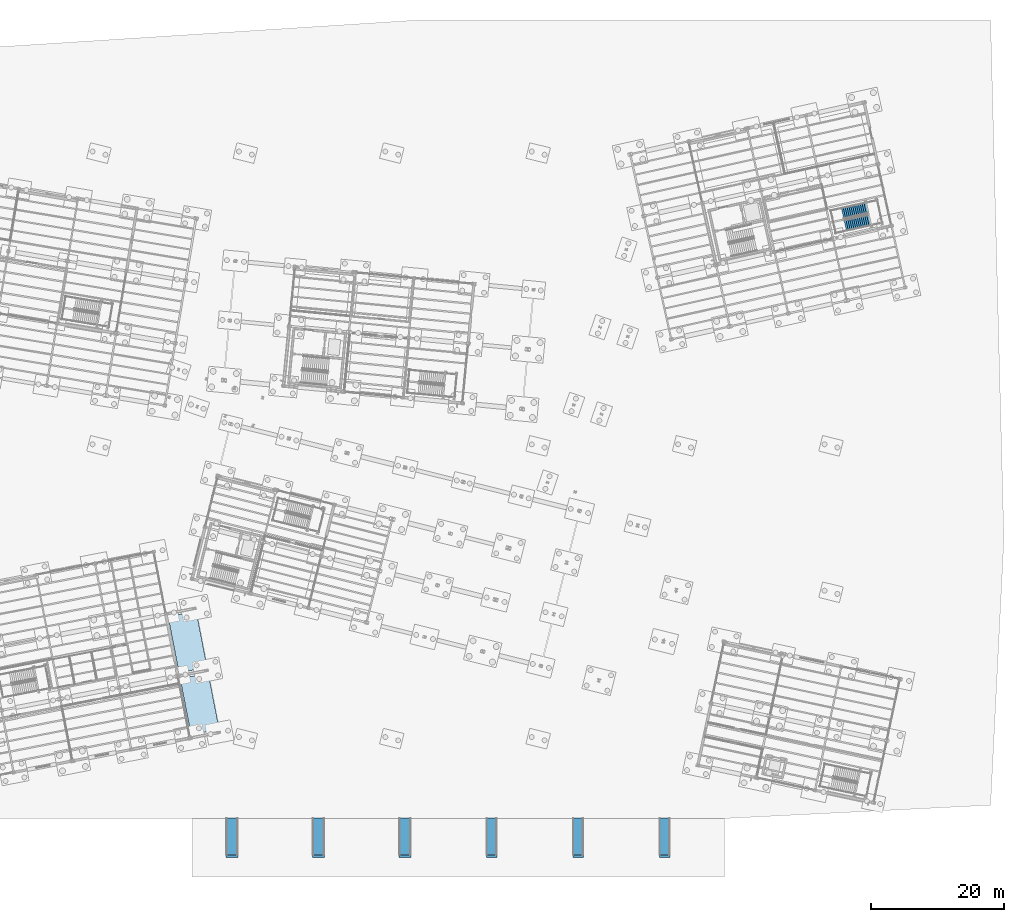
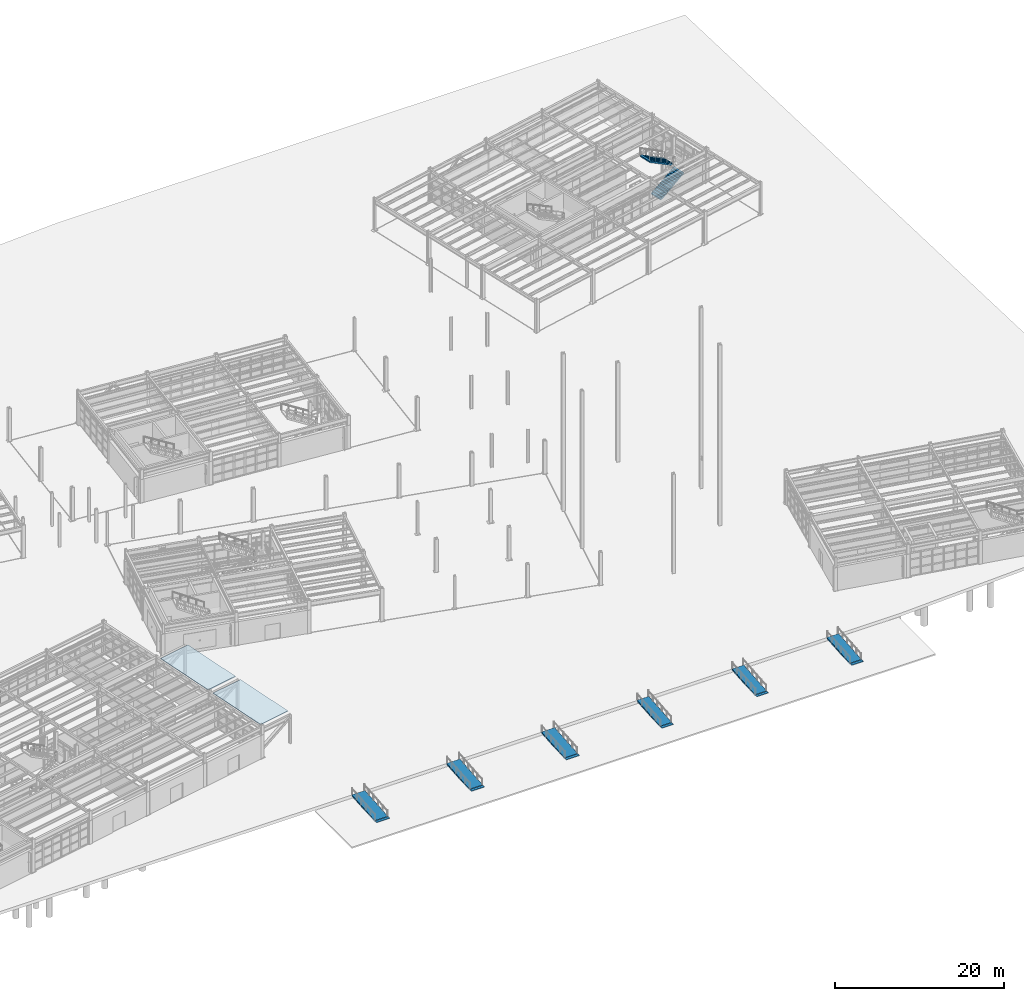
# One storey, part 91 of 108: 6 ramps, 6 ramp flights, 2 roofs, 2 stair flights, 1 element without a shape of its own.
"""IFC4 building model written with IfcOpenShell, lengths in metres."""

from ifc_helpers import new_model, si_unit, direction, frame, origin, origin_2d, place, context, subcontext, project, spatial, polyline, rectangle, outline, extrude, material, layer, layer_set, type_object, element, aggregate, save


model = new_model("IFC4")

# Units and contexts
model_context = context("Model", 3, precision=1e-05, world=origin(), true_north=direction((0.0, 1.0)))
body_context = subcontext(model_context, "Body", "Model", "MODEL_VIEW")
ifc_project = project(units=[si_unit("LENGTHUNIT", "METRE"), si_unit("AREAUNIT", "SQUARE_METRE"), si_unit("VOLUMEUNIT", "CUBIC_METRE"), si_unit("PLANEANGLEUNIT", "RADIAN"), si_unit("MASSUNIT", "GRAM", prefix="KILO")], contexts=[model_context])

# Site, building, storey
site_placement = place(None, origin())
site = spatial("IfcSite", under=ifc_project, at=site_placement, CompositionType="ELEMENT")
building_placement = place(site_placement, origin())
building = spatial("IfcBuilding", under=site, at=building_placement, Name="Vireo Bluff Cable Station", CompositionType="ELEMENT")
storey_placement = place(building_placement, origin())
storey = spatial("IfcBuildingStorey", under=building, at=storey_placement, Name="L00", CompositionType="ELEMENT", Elevation=0.0)

# Stair, stair flights
ifc_material = material(Name="Concrete f'c 40 MPa", Category="concrete")
stair_type = type_object("IfcStairType", Name="STAIR-HT-1680", PredefinedType="HALF_TURN_STAIR", material=ifc_material)
stair_placement = place(storey_placement, origin())
stair = element("IfcStair", 1, at=stair_placement, inside=storey, type_object=stair_type, Name="L00 Feature Concourse Stair ST-09", PredefinedType="HALF_TURN_STAIR")
stair_flight_type = type_object("IfcStairFlightType", Name="FLIGHT-1680", PredefinedType="STRAIGHT", material=ifc_material)
stair_flight_1_placement = place(storey_placement, frame((152.147705078125, 91.104736328125, 0.0), z_axis=(0.0, 0.0, 1.0), x_axis=(0.97629600712, 0.216439613938, 0.0)))
stair_flight_1 = element("IfcStairFlight", 2, at=stair_flight_1_placement, type_object=stair_flight_type, Name="ST-09 flight 1", NumberOfRisers=14, NumberOfTreads=13, PredefinedType="STRAIGHT", RiserHeight=0.171428571, TreadLength=0.29, context=body_context, shape_type="SweptSolid", body=[
    extrude(outline(polyline([(0.0, 0.0), (0.0, 0.17138671875), (0.2900390625, 0.17138671875), (0.2900390625, 0.3427734375), (0.580078125, 0.3427734375), (0.580078125, 0.514404296875), (0.8701171875, 0.514404296875), (0.8701171875, 0.685791015625), (1.159912109375, 0.685791015625), (1.159912109375, 0.857177734375), (1.449951171875, 0.857177734375), (1.449951171875, 1.028564453125), (1.739990234375, 1.028564453125), (1.739990234375, 1.199951171875), (2.030029296875, 1.199951171875), (2.030029296875, 1.371337890625), (2.320068359375, 1.371337890625), (2.320068359375, 1.54296875), (2.610107421875, 1.54296875), (2.610107421875, 1.71435546875), (2.89990234375, 1.71435546875), (2.89990234375, 1.8857421875), (3.18994140625, 1.8857421875), (3.18994140625, 2.05712890625), (3.47998046875, 2.05712890625), (3.47998046875, 2.228515625), (3.77001953125, 2.228515625), (3.77001953125, 2.39990234375), (3.77001953125, 2.054443359375), (0.294677734375, 0.0), (0.0, 0.0)])), frame((0.0, 0.83984375, 0.0), z_axis=(0.0, -1.0, 0.0), x_axis=(1.0, 0.0, 0.0)), (0.0, 0.0, 1.0), 1.679931640625),
])
stair_flight_2_placement = place(storey_placement, frame((155.42138671875, 93.75634765625, 2.39990234375), z_axis=(0.0, 0.0, 1.0), x_axis=(-0.97629600712, -0.216439613938, 0.0)))
stair_flight_2 = element("IfcStairFlight", 3, at=stair_flight_2_placement, type_object=stair_flight_type, Name="ST-09 flight 2", NumberOfRisers=14, NumberOfTreads=13, PredefinedType="STRAIGHT", RiserHeight=0.171428571, TreadLength=0.29, context=body_context, shape_type="SweptSolid", body=[
    extrude(outline(polyline([(0.0, 0.0), (0.0, 0.17138671875), (0.2900390625, 0.17138671875), (0.2900390625, 0.3427734375), (0.580078125, 0.3427734375), (0.580078125, 0.514404296875), (0.8701171875, 0.514404296875), (0.8701171875, 0.685791015625), (1.159912109375, 0.685791015625), (1.159912109375, 0.857177734375), (1.449951171875, 0.857177734375), (1.449951171875, 1.028564453125), (1.739990234375, 1.028564453125), (1.739990234375, 1.199951171875), (2.030029296875, 1.199951171875), (2.030029296875, 1.371337890625), (2.320068359375, 1.371337890625), (2.320068359375, 1.54296875), (2.610107421875, 1.54296875), (2.610107421875, 1.71435546875), (2.89990234375, 1.71435546875), (2.89990234375, 1.8857421875), (3.18994140625, 1.8857421875), (3.18994140625, 2.05712890625), (3.47998046875, 2.05712890625), (3.47998046875, 2.228515625), (3.77001953125, 2.228515625), (3.77001953125, 2.39990234375), (3.77001953125, 2.054443359375), (0.294677734375, 0.0), (0.0, 0.0)])), frame((0.0, 0.83984375, 0.0), z_axis=(0.0, -1.0, 0.0), x_axis=(1.0, 0.0, 0.0)), (0.0, 0.0, 1.0), 1.679931640625),
])
aggregate(stair, [stair_flight_1, stair_flight_2])

# Ramp
ramp_type_1 = type_object("IfcRampType", Name="RAMP-1600", PredefinedType="STRAIGHT_RUN_RAMP", material=ifc_material)
ramp_1_placement = place(storey_placement, frame((73.0, -3.64990234375, -0.550048828125), z_axis=(0.0, 0.0, 1.0), x_axis=(1.0, 0.0, 0.0)))
ramp_1 = element("IfcRamp", 4, at=ramp_1_placement, inside=storey, type_object=ramp_type_1, Name="Plaza accessible ramp RMP-02", PredefinedType="STRAIGHT_RUN_RAMP", context=body_context, shape_type="SweptSolid", body=[
    extrude(rectangle(XDim=1.800048828125, YDim=0.39990234375, at=origin_2d()), origin(), (0.0, 0.0, 1.0), 0.10009765625),
])

ramp_2_placement = place(storey_placement, frame((99.0, -3.64990234375, -0.550048828125), z_axis=(0.0, 0.0, 1.0), x_axis=(1.0, 0.0, 0.0)))
ramp_2 = element("IfcRamp", 5, at=ramp_2_placement, inside=storey, type_object=ramp_type_1, Name="Plaza accessible ramp RMP-04", PredefinedType="STRAIGHT_RUN_RAMP", context=body_context, shape_type="SweptSolid", body=[
    extrude(rectangle(XDim=1.60009765625, YDim=0.39990234375, at=origin_2d()), origin(), (0.0, 0.0, 1.0), 0.10009765625),
])

ramp_3_placement = place(storey_placement, frame((125.0, -3.64990234375, -0.550048828125), z_axis=(0.0, 0.0, 1.0), x_axis=(1.0, 0.0, 0.0)))
ramp_3 = element("IfcRamp", 6, at=ramp_3_placement, inside=storey, type_object=ramp_type_1, Name="Plaza accessible ramp RMP-06", PredefinedType="STRAIGHT_RUN_RAMP", context=body_context, shape_type="SweptSolid", body=[
    extrude(rectangle(XDim=1.60009765625, YDim=0.39990234375, at=origin_2d()), origin(), (0.0, 0.0, 1.0), 0.10009765625),
])

ramp_type_2 = type_object("IfcRampType", Name="RAMP-1800", PredefinedType="STRAIGHT_RUN_RAMP", material=ifc_material)
ramp_4_placement = place(storey_placement, frame((60.0, -3.64990234375, -0.550048828125), z_axis=(0.0, 0.0, 1.0), x_axis=(1.0, 0.0, 0.0)))
ramp_4 = element("IfcRamp", 7, at=ramp_4_placement, inside=storey, type_object=ramp_type_2, Name="Plaza accessible ramp RMP-01", PredefinedType="STRAIGHT_RUN_RAMP", context=body_context, shape_type="SweptSolid", body=[
    extrude(rectangle(XDim=1.800048828125, YDim=0.39990234375, at=origin_2d()), origin(), (0.0, 0.0, 1.0), 0.10009765625),
])

ramp_5_placement = place(storey_placement, frame((86.0, -3.64990234375, -0.550048828125), z_axis=(0.0, 0.0, 1.0), x_axis=(1.0, 0.0, 0.0)))
ramp_5 = element("IfcRamp", 8, at=ramp_5_placement, inside=storey, type_object=ramp_type_2, Name="Plaza accessible ramp RMP-03", PredefinedType="STRAIGHT_RUN_RAMP", context=body_context, shape_type="SweptSolid", body=[
    extrude(rectangle(XDim=1.800048828125, YDim=0.39990234375, at=origin_2d()), origin(), (0.0, 0.0, 1.0), 0.10009765625),
])

ramp_6_placement = place(storey_placement, frame((112.0, -3.64990234375, -0.550048828125), z_axis=(0.0, 0.0, 1.0), x_axis=(1.0, 0.0, 0.0)))
ramp_6 = element("IfcRamp", 9, at=ramp_6_placement, inside=storey, type_object=ramp_type_2, Name="Plaza accessible ramp RMP-05", PredefinedType="STRAIGHT_RUN_RAMP", context=body_context, shape_type="SweptSolid", body=[
    extrude(rectangle(XDim=1.60009765625, YDim=0.39990234375, at=origin_2d()), origin(), (0.0, 0.0, 1.0), 0.10009765625),
])

# Ramp flight
ifc_layer_1 = layer(ifc_material, 0.199951171875, Name="Concrete f'c 40 MPa")
ifc_layer_set_1 = layer_set([ifc_layer_1], Name="Concrete f'c 40 MPa")
ramp_flight_type_1 = type_object("IfcRampFlightType", Name="RAMPFLIGHT-1600", PredefinedType="STRAIGHT", material=ifc_layer_set_1)
ramp_flight_1_placement = place(storey_placement, frame((73.89990234375, -3.39990234375, -0.449951171875), z_axis=(0.0, -0.082280641234, 0.996609199274), x_axis=(0.0, 0.996609199274, 0.082280641234)))
ramp_flight_1 = element("IfcRampFlight", 10, at=ramp_flight_1_placement, type_object=ramp_flight_type_1, Name="RMP-02 sloped ramp flight", PredefinedType="STRAIGHT", context=body_context, shape_type="SweptSolid", body=[
    extrude(outline(polyline([(0.0, 0.0), (5.468493744432132, 0.0), (5.468493744432132, 1.7998046875), (0.0, 1.7998046875), (0.0, 0.0)])), origin(), (0.0, 0.0, -1.0), 0.199951171875),
])

aggregate(ramp_1, [ramp_flight_1])

ramp_flight_2_placement = place(storey_placement, frame((99.800048828125, -3.39990234375, -0.449951171875), z_axis=(0.0, -0.082280641234, 0.996609199274), x_axis=(0.0, 0.996609199274, 0.082280641234)))
ramp_flight_2 = element("IfcRampFlight", 11, at=ramp_flight_2_placement, type_object=ramp_flight_type_1, Name="RMP-04 sloped ramp flight", PredefinedType="STRAIGHT", context=body_context, shape_type="SweptSolid", body=[
    extrude(outline(polyline([(0.0, 0.0), (5.468493744432132, 0.0), (5.468493744432132, 1.6000976562499998), (0.0, 1.6000976562499998), (0.0, 0.0)])), origin(), (0.0, 0.0, -1.0), 0.199951171875),
])

aggregate(ramp_2, [ramp_flight_2])

ramp_flight_3_placement = place(storey_placement, frame((125.800048828125, -3.39990234375, -0.449951171875), z_axis=(0.0, -0.082280641234, 0.996609199274), x_axis=(0.0, 0.996609199274, 0.082280641234)))
ramp_flight_3 = element("IfcRampFlight", 12, at=ramp_flight_3_placement, type_object=ramp_flight_type_1, Name="RMP-06 sloped ramp flight", PredefinedType="STRAIGHT", context=body_context, shape_type="SweptSolid", body=[
    extrude(outline(polyline([(0.0, 0.0), (5.468493744432132, 0.0), (5.468493744432132, 1.6000976562499998), (0.0, 1.6000976562499998), (0.0, 0.0)])), origin(), (0.0, 0.0, -1.0), 0.199951171875),
])

aggregate(ramp_3, [ramp_flight_3])

ifc_layer_2 = layer(ifc_material, 0.199951171875, Name="Concrete f'c 40 MPa")
ifc_layer_set_2 = layer_set([ifc_layer_2], Name="Concrete f'c 40 MPa")
ramp_flight_type_2 = type_object("IfcRampFlightType", Name="RAMPFLIGHT-1800", PredefinedType="STRAIGHT", material=ifc_layer_set_2)
ramp_flight_4_placement = place(storey_placement, frame((60.89990234375, -3.39990234375, -0.449951171875), z_axis=(0.0, -0.082280641234, 0.996609199274), x_axis=(0.0, 0.996609199274, 0.082280641234)))
ramp_flight_4 = element("IfcRampFlight", 13, at=ramp_flight_4_placement, type_object=ramp_flight_type_2, Name="RMP-01 sloped ramp flight", PredefinedType="STRAIGHT", context=body_context, shape_type="SweptSolid", body=[
    extrude(outline(polyline([(0.0, 0.0), (5.468493744432132, 0.0), (5.468493744432132, 1.7998046875), (0.0, 1.7998046875), (0.0, 0.0)])), origin(), (0.0, 0.0, -1.0), 0.199951171875),
])

aggregate(ramp_4, [ramp_flight_4])

ramp_flight_5_placement = place(storey_placement, frame((86.89990234375, -3.39990234375, -0.449951171875), z_axis=(0.0, -0.082280641234, 0.996609199274), x_axis=(0.0, 0.996609199274, 0.082280641234)))
ramp_flight_5 = element("IfcRampFlight", 14, at=ramp_flight_5_placement, type_object=ramp_flight_type_2, Name="RMP-03 sloped ramp flight", PredefinedType="STRAIGHT", context=body_context, shape_type="SweptSolid", body=[
    extrude(outline(polyline([(0.0, 0.0), (5.468493744432132, 0.0), (5.468493744432132, 1.7998046875), (0.0, 1.7998046875), (0.0, 0.0)])), origin(), (0.0, 0.0, -1.0), 0.199951171875),
])

aggregate(ramp_5, [ramp_flight_5])

ramp_flight_6_placement = place(storey_placement, frame((112.800048828125, -3.39990234375, -0.449951171875), z_axis=(0.0, -0.082280641234, 0.996609199274), x_axis=(0.0, 0.996609199274, 0.082280641234)))
ramp_flight_6 = element("IfcRampFlight", 15, at=ramp_flight_6_placement, type_object=ramp_flight_type_2, Name="RMP-05 sloped ramp flight", PredefinedType="STRAIGHT", context=body_context, shape_type="SweptSolid", body=[
    extrude(outline(polyline([(0.0, 0.0), (5.468493744432132, 0.0), (5.468493744432132, 1.6000976562499998), (0.0, 1.6000976562499998), (0.0, 0.0)])), origin(), (0.0, 0.0, -1.0), 0.199951171875),
])

aggregate(ramp_6, [ramp_flight_6])

# Roofs
ifc_layer_3 = layer(ifc_material, 0.080078125, Name="Concrete f'c 40 MPa")
ifc_layer_set_3 = layer_set([ifc_layer_3], Name="Concrete f'c 40 MPa")
roof_type = type_object("IfcRoofType", Name="ROOF-TERRACE-01", PredefinedType="FLAT_ROOF", material=ifc_layer_set_3)
for number, where, z_axis, x_axis, name in (
    (16, (55.132568359375, 19.208984375, 4.349853515625), (0.0, 0.0, 1.0), (0.981627183448, 0.190808995377, 0.0), "Plaza entrance canopy roof 1"),
    (17, (53.31982421875, 28.534423828125, 4.349853515625), (0.0, 0.0, 1.0), (0.981627183448, 0.190808995377, 0.0), "Plaza entrance canopy roof 2"),
):
    element("IfcRoof", number, at=place(storey_placement, frame(where, z_axis=z_axis, x_axis=x_axis)), inside=storey, type_object=roof_type, Name=name, PredefinedType="FLAT_ROOF", context=body_context, shape_type="SweptSolid", body=[
        extrude(rectangle(XDim=4.300048828125, YDim=8.60009765625, at=origin_2d()), origin(), (0.0, 0.0, 1.0), 0.080078125),
    ])

save(model, "model.ifc")
